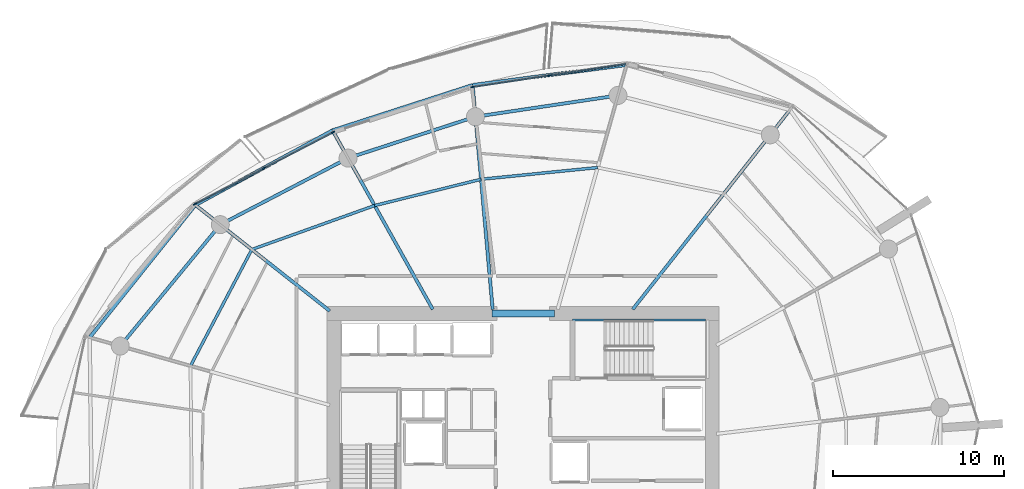
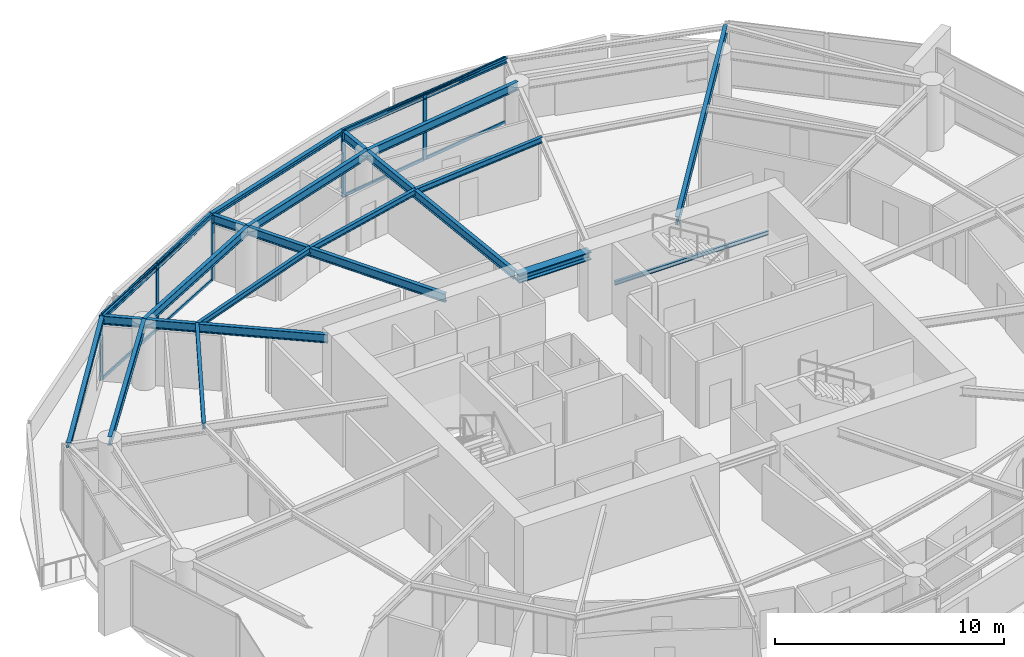
# One storey, part 8 of 20: 18 beams, 13 members, 2 elements without a shape of their own.
"""IFC4 building model written with IfcOpenShell, lengths in metres."""

from ifc_helpers import new_model, si_unit, direction, frame, origin, origin_2d, place, context, subcontext, project, spatial, rectangle, i_section, extrude, material, layer, layer_set, material_profile, profile_set, type_object, element, aggregate, save


model = new_model("IFC4")

# Units and contexts
model_context = context("Model", 3, precision=1e-05, world=origin(), true_north=direction((0.0, 1.0)))
body_context = subcontext(model_context, "Body", "Model", "MODEL_VIEW")
ifc_project = project(units=[si_unit("LENGTHUNIT", "METRE"), si_unit("AREAUNIT", "SQUARE_METRE"), si_unit("VOLUMEUNIT", "CUBIC_METRE"), si_unit("PLANEANGLEUNIT", "RADIAN"), si_unit("MASSUNIT", "GRAM", prefix="KILO")], contexts=[model_context])

# Site, building, storey
site_placement = place(None, origin())
site = spatial("IfcSite", under=ifc_project, at=site_placement, CompositionType="ELEMENT")
building_placement = place(site_placement, origin())
building = spatial("IfcBuilding", under=site, at=building_placement, Name="Kazma Halo Residences", CompositionType="ELEMENT")
storey_placement = place(building_placement, frame((0.0, 0.0, 157.800048828125)))
storey = spatial("IfcBuildingStorey", under=building, at=storey_placement, Name="L39", CompositionType="ELEMENT", Elevation=157.800048828125)

# Beams
ifc_material_1 = material(Name="Steel S355", Category="steel")
ifc_material_profile_1 = material_profile(ifc_material_1, i_section(OverallWidth=0.201904296875, OverallDepth=0.2470703125, WebThickness=0.00732421875, FlangeThickness=0.010986328125, FilletRadius=0.011962890625, at=origin_2d()), Name="W250x49.1")
ifc_profile_set_1 = profile_set([ifc_material_profile_1], Name="Steel S355")
beam_type_1 = type_object("IfcBeamType", Name="BM-BAL-CANT", PredefinedType="BEAM", material=ifc_profile_set_1)
beam_1_placement = place(storey_placement, frame((54.459228515625, 64.90234375, 3.37646484375), z_axis=(-0.991489228614, -0.130188745839, 0.0), x_axis=(0.130188745839, -0.991489228614, 0.0)))
element("IfcBeam", 1, at=beam_1_placement, inside=storey, type_object=beam_type_1, Name="L39 wave-balcony tie beam 03", PredefinedType="BEAM", context=body_context, shape_type="SweptSolid", body=[
    extrude(i_section(OverallWidth=0.201904296875, OverallDepth=0.2470703125, WebThickness=0.00732421875, FlangeThickness=0.010986328125, FilletRadius=0.011962890625, at=origin_2d()), origin(), (0.0, 0.0, 1.0), 9.053955078125),
])
beam_2_placement = place(storey_placement, frame((45.482421875, 63.7236328125, 3.37646484375), z_axis=(-0.951458235255, -0.307777885115, 0.0), x_axis=(0.307777885115, -0.951458235255, 0.0)))
element("IfcBeam", 2, at=beam_2_placement, inside=storey, type_object=beam_type_1, Name="L39 wave-balcony tie beam 04", PredefinedType="BEAM", context=body_context, shape_type="SweptSolid", body=[
    extrude(i_section(OverallWidth=0.201904296875, OverallDepth=0.2470703125, WebThickness=0.00732421875, FlangeThickness=0.010986328125, FilletRadius=0.011962890625, at=origin_2d()), origin(), (0.0, 0.0, 1.0), 8.585205078125),
])
beam_3_placement = place(storey_placement, frame((37.31396484375, 61.081298828125, 3.37646484375), z_axis=(-0.878572913315, -0.477608245312, 0.0), x_axis=(0.477608245312, -0.878572913315, 0.0)))
element("IfcBeam", 3, at=beam_3_placement, inside=storey, type_object=beam_type_1, Name="L39 wave-balcony tie beam 05", PredefinedType="BEAM", context=body_context, shape_type="SweptSolid", body=[
    extrude(i_section(OverallWidth=0.201904296875, OverallDepth=0.2470703125, WebThickness=0.00732421875, FlangeThickness=0.010986328125, FilletRadius=0.011962890625, at=origin_2d()), origin(), (0.0, 0.0, 1.0), 9.107177734375),
])
beam_4_placement = place(storey_placement, frame((29.312744140625, 56.731689453125, 3.37646484375), z_axis=(-0.623742400336, -0.781629975131, 0.0), x_axis=(0.781629975131, -0.623742400336, 0.0)))
element("IfcBeam", 4, at=beam_4_placement, inside=storey, type_object=beam_type_1, Name="L39 wave-balcony tie beam 06", PredefinedType="BEAM", context=body_context, shape_type="SweptSolid", body=[
    extrude(i_section(OverallWidth=0.201904296875, OverallDepth=0.2470703125, WebThickness=0.00732421875, FlangeThickness=0.010986328125, FilletRadius=0.011962890625, at=origin_2d()), origin(), (0.0, 0.0, 1.0), 9.880859375),
])
ifc_material_profile_2 = material_profile(ifc_material_1, i_section(OverallWidth=0.408935546875, OverallDepth=0.425048828125, WebThickness=0.03271484375, FlangeThickness=0.052490234375, FilletRadius=0.02001953125, at=origin_2d()), Name="W360x421")
ifc_profile_set_2 = profile_set([ifc_material_profile_2], Name="Steel S355")
beam_type_2 = type_object("IfcBeamType", Name="BM-CORE-W360H", PredefinedType="BEAM", material=ifc_profile_set_2)
beam_5_placement = place(storey_placement, frame((46.60009765625, 50.39990234375, 3.287353515625), z_axis=(1.0, 0.0, 0.0), x_axis=(0.0, 1.0, 0.0)))
element("IfcBeam", 5, at=beam_5_placement, inside=storey, type_object=beam_type_2, Name="L39 core coupling beam N", PredefinedType="BEAM", context=body_context, shape_type="SweptSolid", body=[
    extrude(i_section(OverallWidth=0.408935546875, OverallDepth=0.425048828125, WebThickness=0.03271484375, FlangeThickness=0.052490234375, FilletRadius=0.02001953125, at=origin_2d()), origin(), (0.0, 0.0, 1.0), 3.64990234375),
])
ifc_material_profile_3 = material_profile(ifc_material_1, i_section(OverallWidth=0.18994140625, OverallDepth=0.45703125, WebThickness=0.009033203125, FlangeThickness=0.014404296875, FilletRadius=0.01611328125, at=origin_2d()), Name="W460x74")
ifc_profile_set_3 = profile_set([ifc_material_profile_3], Name="Steel S355")
beam_type_3 = type_object("IfcBeamType", Name="BM-RAD-W460", PredefinedType="BEAM", material=ifc_profile_set_3)
beam_6_placement = place(storey_placement, frame((54.819091796875, 50.64990234375, 3.271484375), z_axis=(0.619094498239, 0.785316498139, 0.0), x_axis=(-0.785316498139, 0.619094498239, 0.0)))
element("IfcBeam", 6, at=beam_6_placement, inside=storey, type_object=beam_type_3, Name="L39 radial floor beam 02", PredefinedType="BEAM", context=body_context, shape_type="SweptSolid", body=[
    extrude(i_section(OverallWidth=0.18994140625, OverallDepth=0.45703125, WebThickness=0.009033203125, FlangeThickness=0.014404296875, FilletRadius=0.01611328125, at=origin_2d()), origin(), (0.0, 0.0, 1.0), 14.80517578125),
])
beam_7_placement = place(storey_placement, frame((46.64990234375, 50.64990234375, 3.271484375), z_axis=(-0.088945777727, 0.996036469525, 0.0), x_axis=(-0.996036469525, -0.088945777727, 0.0)))
element("IfcBeam", 7, at=beam_7_placement, inside=storey, type_object=beam_type_3, Name="L39 radial floor beam 04", PredefinedType="BEAM", context=body_context, shape_type="SweptSolid", body=[
    extrude(i_section(OverallWidth=0.18994140625, OverallDepth=0.45703125, WebThickness=0.009033203125, FlangeThickness=0.014404296875, FilletRadius=0.01611328125, at=origin_2d()), origin(), (0.0, 0.0, 1.0), 13.125732421875),
])
beam_8_placement = place(storey_placement, frame((43.15576171875, 50.64990234375, 3.271484375), z_axis=(-0.488617048735, 0.872498355119, 0.0), x_axis=(-0.872498355119, -0.488617048735, 0.0)))
element("IfcBeam", 8, at=beam_8_placement, inside=storey, type_object=beam_type_3, Name="L39 radial floor beam 05", PredefinedType="BEAM", context=body_context, shape_type="SweptSolid", body=[
    extrude(i_section(OverallWidth=0.18994140625, OverallDepth=0.45703125, WebThickness=0.009033203125, FlangeThickness=0.014404296875, FilletRadius=0.01611328125, at=origin_2d()), origin(), (0.0, 0.0, 1.0), 11.955810546875),
])
beam_9_placement = place(storey_placement, frame((37.14990234375, 50.553466796875, 3.271484375), z_axis=(-0.785321544409, 0.619088097032, 0.0), x_axis=(-0.619088097032, -0.785321544409, 0.0)))
element("IfcBeam", 9, at=beam_9_placement, inside=storey, type_object=beam_type_3, Name="L39 radial floor beam 06", PredefinedType="BEAM", context=body_context, shape_type="SweptSolid", body=[
    extrude(i_section(OverallWidth=0.18994140625, OverallDepth=0.45703125, WebThickness=0.009033203125, FlangeThickness=0.014404296875, FilletRadius=0.01611328125, at=origin_2d()), origin(), (0.0, 0.0, 1.0), 9.9794921875),
])
ifc_material_profile_4 = material_profile(ifc_material_1, i_section(OverallWidth=0.1650390625, OverallDepth=0.31005859375, WebThickness=0.005859375, FlangeThickness=0.009765625, FilletRadius=0.011962890625, at=origin_2d()), Name="W310x38.7")
ifc_profile_set_4 = profile_set([ifc_material_profile_4], Name="Steel S355")
beam_type_4 = type_object("IfcBeamType", Name="BM-SEC-W310B", PredefinedType="JOIST", material=ifc_profile_set_4)
beam_10_placement = place(storey_placement, frame((52.77099609375, 58.91650390625, 3.344970703125), z_axis=(-0.994979001613, -0.100083896557, 0.0), x_axis=(0.100083896557, -0.994979001613, 0.0)))
element("IfcBeam", 10, at=beam_10_placement, inside=storey, type_object=beam_type_4, Name="L39 circumferential floor joist 03", PredefinedType="JOIST", context=body_context, shape_type="SweptSolid", body=[
    extrude(i_section(OverallWidth=0.1650390625, OverallDepth=0.31005859375, WebThickness=0.005859375, FlangeThickness=0.009765625, FilletRadius=0.011962890625, at=origin_2d()), origin(), (0.0, 0.0, 1.0), 6.832763671875),
])
beam_11_placement = place(storey_placement, frame((45.97265625, 58.232666015625, 3.344970703125), z_axis=(-0.970830601663, -0.239766434004, 0.0), x_axis=(0.239766434004, -0.970830601663, 0.0)))
element("IfcBeam", 11, at=beam_11_placement, inside=storey, type_object=beam_type_4, Name="L39 circumferential floor joist 04", PredefinedType="JOIST", context=body_context, shape_type="SweptSolid", body=[
    extrude(i_section(OverallWidth=0.1650390625, OverallDepth=0.31005859375, WebThickness=0.005859375, FlangeThickness=0.009765625, FilletRadius=0.011962890625, at=origin_2d()), origin(), (0.0, 0.0, 1.0), 6.3916015625),
])
beam_12_placement = place(storey_placement, frame((39.767578125, 56.7001953125, 3.344970703125), z_axis=(-0.941534087973, -0.336917736525, 0.0), x_axis=(0.336917736525, -0.941534087973, 0.0)))
element("IfcBeam", 12, at=beam_12_placement, inside=storey, type_object=beam_type_4, Name="L39 circumferential floor joist 05", PredefinedType="JOIST", context=body_context, shape_type="SweptSolid", body=[
    extrude(i_section(OverallWidth=0.1650390625, OverallDepth=0.31005859375, WebThickness=0.005859375, FlangeThickness=0.009765625, FilletRadius=0.011962890625, at=origin_2d()), origin(), (0.0, 0.0, 1.0), 7.60791015625),
])
beam_13_placement = place(storey_placement, frame((32.6044921875, 54.136962890625, 3.344970703125), z_axis=(-0.466019257875, -0.884774576539, 0.0), x_axis=(0.884774576539, -0.466019257875, 0.0)))
element("IfcBeam", 13, at=beam_13_placement, inside=storey, type_object=beam_type_4, Name="L39 circumferential floor joist 06", PredefinedType="JOIST", context=body_context, shape_type="SweptSolid", body=[
    extrude(i_section(OverallWidth=0.1650390625, OverallDepth=0.31005859375, WebThickness=0.005859375, FlangeThickness=0.009765625, FilletRadius=0.011962890625, at=origin_2d()), origin(), (0.0, 0.0, 1.0), 7.670654296875),
])
ifc_material_profile_5 = material_profile(ifc_material_1, i_section(OverallWidth=0.18994140625, OverallDepth=0.45703125, WebThickness=0.009033203125, FlangeThickness=0.014404296875, FilletRadius=0.01611328125, at=origin_2d()), Name="W460x74")
ifc_profile_set_5 = profile_set([ifc_material_profile_5], Name="Steel S355")
beam_type_5 = type_object("IfcBeamType", Name="BM-SPN-W460", PredefinedType="BEAM", material=ifc_profile_set_5)
beam_14_placement = place(storey_placement, frame((53.95703125, 63.121826171875, 3.271484375), z_axis=(-0.989037147603, -0.147666924735, 0.0), x_axis=(0.147666924735, -0.989037147603, 0.0)))
element("IfcBeam", 14, at=beam_14_placement, inside=storey, type_object=beam_type_5, Name="L39 perimeter ring beam 03", PredefinedType="BEAM", context=body_context, shape_type="SweptSolid", body=[
    extrude(i_section(OverallWidth=0.18994140625, OverallDepth=0.45703125, WebThickness=0.009033203125, FlangeThickness=0.014404296875, FilletRadius=0.01611328125, at=origin_2d()), origin(), (0.0, 0.0, 1.0), 8.402099609375),
])
beam_15_placement = place(storey_placement, frame((45.64697265625, 61.881103515625, 3.271484375), z_axis=(-0.95105634578, -0.309017519167, 0.0), x_axis=(0.309017519167, -0.95105634578, 0.0)))
element("IfcBeam", 15, at=beam_15_placement, inside=storey, type_object=beam_type_5, Name="L39 perimeter ring beam 04", PredefinedType="BEAM", context=body_context, shape_type="SweptSolid", body=[
    extrude(i_section(OverallWidth=0.18994140625, OverallDepth=0.45703125, WebThickness=0.009033203125, FlangeThickness=0.014404296875, FilletRadius=0.01611328125, at=origin_2d()), origin(), (0.0, 0.0, 1.0), 7.811279296875),
])
beam_16_placement = place(storey_placement, frame((38.218017578125, 59.46728515625, 3.271484375), z_axis=(-0.886943099021, -0.461878706046, 0.0), x_axis=(0.461878706046, -0.886943099021, 0.0)))
element("IfcBeam", 16, at=beam_16_placement, inside=storey, type_object=beam_type_5, Name="L39 perimeter ring beam 05", PredefinedType="BEAM", context=body_context, shape_type="SweptSolid", body=[
    extrude(i_section(OverallWidth=0.18994140625, OverallDepth=0.45703125, WebThickness=0.009033203125, FlangeThickness=0.014404296875, FilletRadius=0.01611328125, at=origin_2d()), origin(), (0.0, 0.0, 1.0), 8.40234375),
])
beam_17_placement = place(storey_placement, frame((30.765625, 55.58642578125, 3.271484375), z_axis=(-0.636018723515, -0.771673624882, 0.0), x_axis=(0.771673624882, -0.636018723515, 0.0)))
element("IfcBeam", 17, at=beam_17_placement, inside=storey, type_object=beam_type_5, Name="L39 perimeter ring beam 06", PredefinedType="BEAM", context=body_context, shape_type="SweptSolid", body=[
    extrude(i_section(OverallWidth=0.18994140625, OverallDepth=0.45703125, WebThickness=0.009033203125, FlangeThickness=0.014404296875, FilletRadius=0.01611328125, at=origin_2d()), origin(), (0.0, 0.0, 1.0), 9.175048828125),
])
ifc_material_profile_6 = material_profile(ifc_material_1, i_section(OverallWidth=0.133056640625, OverallDepth=0.20703125, WebThickness=0.005859375, FlangeThickness=0.00830078125, FilletRadius=0.010009765625, at=origin_2d()), Name="W200x26.6")
ifc_profile_set_6 = profile_set([ifc_material_profile_6], Name="Steel S355")
beam_type_6 = type_object("IfcBeamType", Name="BM-TRIM-W200", PredefinedType="BEAM", material=ifc_profile_set_6)
beam_18_placement = place(storey_placement, frame((51.31005859375, 50.02001953125, 1.570068359375), z_axis=(1.0, 0.0, 0.0), x_axis=(0.0, 1.0, 0.0)))
element("IfcBeam", 18, at=beam_18_placement, inside=storey, type_object=beam_type_6, Name="L39 ST-02 landing north wall ledger", PredefinedType="BEAM", context=body_context, shape_type="SweptSolid", body=[
    extrude(i_section(OverallWidth=0.133056640625, OverallDepth=0.20703125, WebThickness=0.005859375, FlangeThickness=0.00830078125, FilletRadius=0.010009765625, at=origin_2d()), origin(), (0.0, 0.0, 1.0), 7.760009765625),
])

# Curtain wall, members
ifc_material_2 = material(Name="Aluminium AW-6063 T6 and Triple-Silver Low-E Glass", Category="aluminium")
ifc_layer = layer(ifc_material_2, 0.219970703125)
ifc_layer_set = layer_set([ifc_layer], Name="Aluminium AW-6063 T6 and Triple-Silver Low-E Glass")
curtain_wall_type = type_object("IfcCurtainWallType", Name="CW-SYS-4", PredefinedType="NOTDEFINED", material=ifc_layer_set)
curtain_wall_1_placement = place(storey_placement, origin())
curtain_wall_1 = element("IfcCurtainWall", 19, at=curtain_wall_1_placement, inside=storey, type_object=curtain_wall_type, Name="L39 unitised curtain wall B03", PredefinedType="NOTDEFINED")
ifc_material_3 = material(Name="Aluminium AW-6063 T6", Category="aluminium")
ifc_material_profile_7 = material_profile(ifc_material_3, rectangle(XDim=0.074951171875, YDim=0.219970703125, at=origin_2d()), Name="CWM-75x220")
ifc_profile_set_7 = profile_set([ifc_material_profile_7], Name="Aluminium AW-6063 T6")
member_type_1 = type_object("IfcMemberType", Name="CW-SYS-4-MUL", PredefinedType="MULLION", material=ifc_profile_set_7)
member_1_placement = place(storey_placement, frame((49.960205078125, 64.28857421875, 0.0), z_axis=(0.0, 0.0, 1.0), x_axis=(0.148821022686, -0.988864148004, 0.0)))
member_1 = element("IfcMember", 20, at=member_1_placement, type_object=member_type_1, Name="CWS-4 mullion 2", PredefinedType="MULLION", context=body_context, shape_type="SweptSolid", body=[
    extrude(rectangle(XDim=0.074951171875, YDim=0.219970703125, at=origin_2d()), origin(), (0.0, 0.0, 1.0), 3.5),
])
member_2_placement = place(storey_placement, frame((45.4794921875, 63.6142578125, 0.0), z_axis=(0.0, 0.0, 1.0), x_axis=(0.148821022686, -0.988864148004, 0.0)))
member_2 = element("IfcMember", 21, at=member_2_placement, type_object=member_type_1, Name="CWS-4 mullion 3", PredefinedType="MULLION", context=body_context, shape_type="SweptSolid", body=[
    extrude(rectangle(XDim=0.074951171875, YDim=0.219970703125, at=origin_2d()), origin(), (0.0, 0.0, 1.0), 3.5),
])

curtain_wall_2_placement = place(storey_placement, origin())
curtain_wall_2 = element("IfcCurtainWall", 22, at=curtain_wall_2_placement, inside=storey, type_object=curtain_wall_type, Name="L39 unitised curtain wall B05", PredefinedType="NOTDEFINED")
member_3_placement = place(storey_placement, frame((37.33447265625, 60.9677734375, 0.0), z_axis=(0.0, 0.0, 1.0), x_axis=(0.460837484552, -0.887484542306, 0.0)))
member_3 = element("IfcMember", 23, at=member_3_placement, type_object=member_type_1, Name="CWS-4 mullion 1", PredefinedType="MULLION", context=body_context, shape_type="SweptSolid", body=[
    extrude(rectangle(XDim=0.074951171875, YDim=0.219970703125, at=origin_2d()), origin(), (0.0, 0.0, 1.0), 3.5),
])
member_4_placement = place(storey_placement, frame((33.313232421875, 58.879638671875, 0.0), z_axis=(0.0, 0.0, 1.0), x_axis=(0.460837484552, -0.887484542306, 0.0)))
member_4 = element("IfcMember", 24, at=member_4_placement, type_object=member_type_1, Name="CWS-4 mullion 2", PredefinedType="MULLION", context=body_context, shape_type="SweptSolid", body=[
    extrude(rectangle(XDim=0.074951171875, YDim=0.219970703125, at=origin_2d()), origin(), (0.0, 0.0, 1.0), 3.5),
])
member_5_placement = place(storey_placement, frame((29.2919921875, 56.791748046875, 0.0), z_axis=(0.0, 0.0, 1.0), x_axis=(0.460837484552, -0.887484542306, 0.0)))
member_5 = element("IfcMember", 25, at=member_5_placement, type_object=member_type_1, Name="CWS-4 mullion 3", PredefinedType="MULLION", context=body_context, shape_type="SweptSolid", body=[
    extrude(rectangle(XDim=0.074951171875, YDim=0.219970703125, at=origin_2d()), origin(), (0.0, 0.0, 1.0), 3.5),
])

# Member
ifc_material_profile_8 = material_profile(ifc_material_3, rectangle(XDim=0.074951171875, YDim=0.1650390625, at=origin_2d()), Name="CWT-75x165")
ifc_profile_set_8 = profile_set([ifc_material_profile_8], Name="Aluminium AW-6063 T6")
member_type_2 = type_object("IfcMemberType", Name="CW-SYS-4-TRN", PredefinedType="USERDEFINED", material=ifc_profile_set_8)
member_6_placement = place(storey_placement, frame((54.403564453125, 64.957275390625, 0.037353515625), z_axis=(-0.988866721231, -0.148803923478, 0.0), x_axis=(0.148803923478, -0.988866721231, 0.0)))
member_6 = element("IfcMember", 26, at=member_6_placement, type_object=member_type_2, Name="CWS-4 transom 1.1", ObjectType="TRANSOM", PredefinedType="USERDEFINED", context=body_context, shape_type="SweptSolid", body=[
    extrude(rectangle(XDim=0.074951171875, YDim=0.1650390625, at=origin_2d()), origin(), (0.0, 0.0, 1.0), 4.4560546875),
])

member_7_placement = place(storey_placement, frame((54.403564453125, 64.957275390625, 3.46240234375), z_axis=(-0.988866721231, -0.148803923478, 0.0), x_axis=(0.148803923478, -0.988866721231, 0.0)))
member_7 = element("IfcMember", 27, at=member_7_placement, type_object=member_type_2, Name="CWS-4 transom 1.2", ObjectType="TRANSOM", PredefinedType="USERDEFINED", context=body_context, shape_type="SweptSolid", body=[
    extrude(rectangle(XDim=0.074951171875, YDim=0.1650390625, at=origin_2d()), origin(), (0.0, 0.0, 1.0), 4.4560546875),
])

member_8_placement = place(storey_placement, frame((49.923095703125, 64.282958984375, 0.037353515625), z_axis=(-0.988866721231, -0.148803923478, 0.0), x_axis=(0.148803923478, -0.988866721231, 0.0)))
member_8 = element("IfcMember", 28, at=member_8_placement, type_object=member_type_2, Name="CWS-4 transom 2.1", ObjectType="TRANSOM", PredefinedType="USERDEFINED", context=body_context, shape_type="SweptSolid", body=[
    extrude(rectangle(XDim=0.074951171875, YDim=0.1650390625, at=origin_2d()), origin(), (0.0, 0.0, 1.0), 4.4560546875),
])

member_9_placement = place(storey_placement, frame((49.923095703125, 64.282958984375, 3.46240234375), z_axis=(-0.988866721231, -0.148803923478, 0.0), x_axis=(0.148803923478, -0.988866721231, 0.0)))
member_9 = element("IfcMember", 29, at=member_9_placement, type_object=member_type_2, Name="CWS-4 transom 2.2", ObjectType="TRANSOM", PredefinedType="USERDEFINED", context=body_context, shape_type="SweptSolid", body=[
    extrude(rectangle(XDim=0.074951171875, YDim=0.1650390625, at=origin_2d()), origin(), (0.0, 0.0, 1.0), 4.4560546875),
])

aggregate(curtain_wall_1, [member_1, member_2, member_6, member_7, member_8, member_9])

member_10_placement = place(storey_placement, frame((37.30126953125, 60.950439453125, 0.037353515625), z_axis=(-0.887484872803, -0.460836848077, 0.0), x_axis=(0.460836848077, -0.887484872803, 0.0)))
member_10 = element("IfcMember", 30, at=member_10_placement, type_object=member_type_2, Name="CWS-4 transom 1.1", ObjectType="TRANSOM", PredefinedType="USERDEFINED", context=body_context, shape_type="SweptSolid", body=[
    extrude(rectangle(XDim=0.074951171875, YDim=0.1650390625, at=origin_2d()), origin(), (0.0, 0.0, 1.0), 4.4560546875),
])

member_11_placement = place(storey_placement, frame((37.30126953125, 60.950439453125, 3.46240234375), z_axis=(-0.887484872803, -0.460836848077, 0.0), x_axis=(0.460836848077, -0.887484872803, 0.0)))
member_11 = element("IfcMember", 31, at=member_11_placement, type_object=member_type_2, Name="CWS-4 transom 1.2", ObjectType="TRANSOM", PredefinedType="USERDEFINED", context=body_context, shape_type="SweptSolid", body=[
    extrude(rectangle(XDim=0.074951171875, YDim=0.1650390625, at=origin_2d()), origin(), (0.0, 0.0, 1.0), 4.4560546875),
])

member_12_placement = place(storey_placement, frame((33.280029296875, 58.862548828125, 0.037353515625), z_axis=(-0.887484872803, -0.460836848077, 0.0), x_axis=(0.460836848077, -0.887484872803, 0.0)))
member_12 = element("IfcMember", 32, at=member_12_placement, type_object=member_type_2, Name="CWS-4 transom 2.1", ObjectType="TRANSOM", PredefinedType="USERDEFINED", context=body_context, shape_type="SweptSolid", body=[
    extrude(rectangle(XDim=0.074951171875, YDim=0.1650390625, at=origin_2d()), origin(), (0.0, 0.0, 1.0), 4.4560546875),
])

member_13_placement = place(storey_placement, frame((33.280029296875, 58.862548828125, 3.46240234375), z_axis=(-0.887484872803, -0.460836848077, 0.0), x_axis=(0.460836848077, -0.887484872803, 0.0)))
member_13 = element("IfcMember", 33, at=member_13_placement, type_object=member_type_2, Name="CWS-4 transom 2.2", ObjectType="TRANSOM", PredefinedType="USERDEFINED", context=body_context, shape_type="SweptSolid", body=[
    extrude(rectangle(XDim=0.074951171875, YDim=0.1650390625, at=origin_2d()), origin(), (0.0, 0.0, 1.0), 4.4560546875),
])

aggregate(curtain_wall_2, [member_3, member_4, member_5, member_10, member_11, member_12, member_13])

save(model, "model.ifc")
